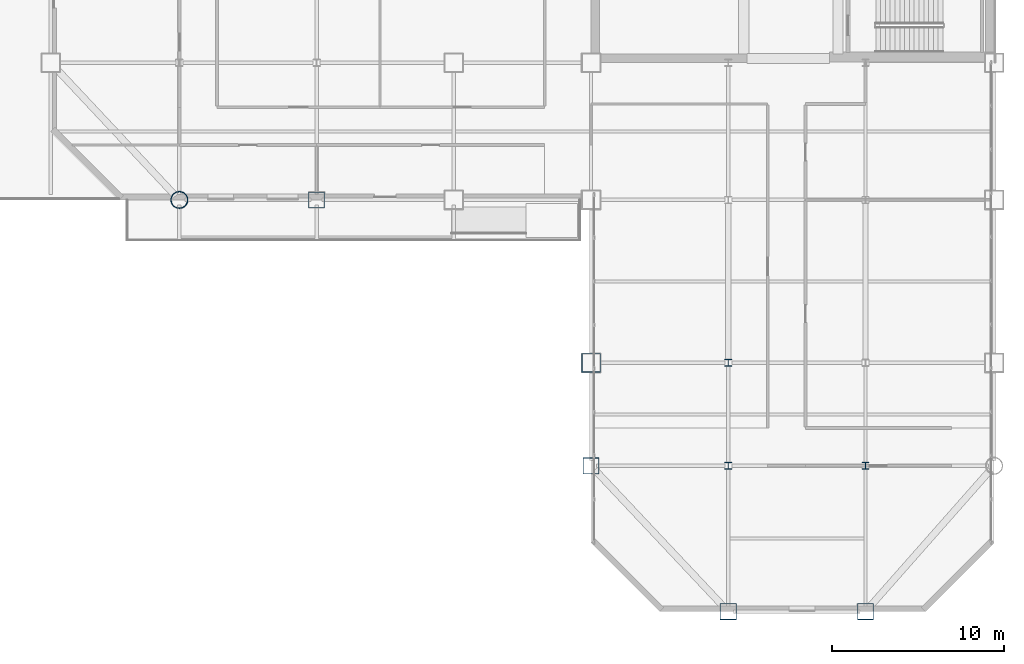
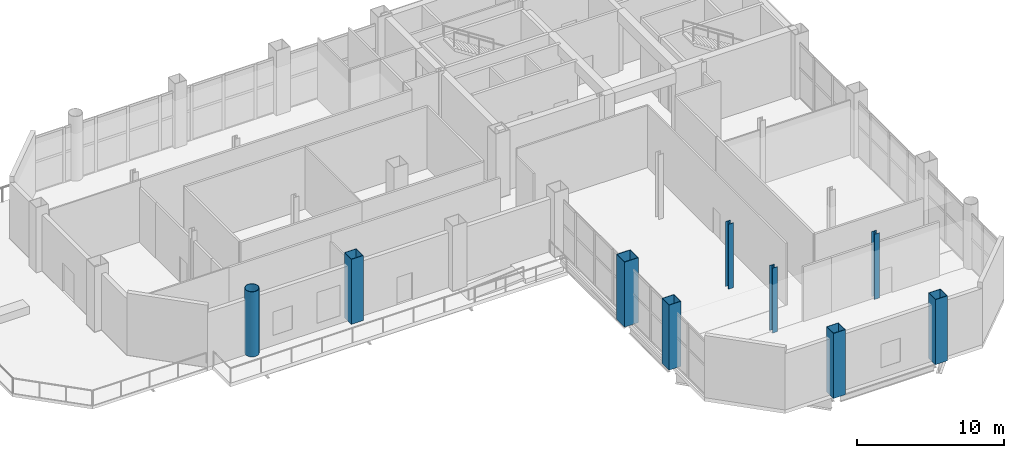
# One storey, part 1 of 22: 9 columns.
"""IFC4 building model written with IfcOpenShell, lengths in metres."""

from ifc_helpers import new_model, si_unit, direction, frame, origin, origin_2d, place, context, subcontext, project, spatial, hollow_rectangle, hollow_circle, i_section, extrude, material, material_profile, profile_set, type_object, element, save


model = new_model("IFC4")

# Units and contexts
model_context = context("Model", 3, precision=1e-05, world=origin(), true_north=direction((0.0, 1.0)))
body_context = subcontext(model_context, "Body", "Model", "MODEL_VIEW")
ifc_project = project(units=[si_unit("LENGTHUNIT", "METRE"), si_unit("AREAUNIT", "SQUARE_METRE"), si_unit("VOLUMEUNIT", "CUBIC_METRE"), si_unit("PLANEANGLEUNIT", "RADIAN"), si_unit("MASSUNIT", "GRAM", prefix="KILO")], contexts=[model_context])

# Site, building, storey
site_placement = place(None, origin())
site = spatial("IfcSite", under=ifc_project, at=site_placement, CompositionType="ELEMENT")
building_placement = place(site_placement, origin())
building = spatial("IfcBuilding", under=site, at=building_placement, Name="Qianrong Seaharbour Tower", CompositionType="ELEMENT")
storey_placement = place(building_placement, frame((0.0, 0.0, 113.60009765625)))
storey = spatial("IfcBuildingStorey", under=building, at=storey_placement, Name="L27", CompositionType="ELEMENT", Elevation=113.60009765625)

# Columns
ifc_material = material(Name="Structural steel SN490B", Category="steel")
ifc_material_profile_1 = material_profile(ifc_material, hollow_rectangle(XDim=1.10009765625, YDim=1.10009765625, WallThickness=0.0400390625, at=origin_2d()), Name="BOX1100x1100x40")
ifc_profile_set_1 = profile_set([ifc_material_profile_1], Name="Structural steel SN490B")
column_type_1 = type_object("IfcColumnType", Name="COL-CFT-1100", PredefinedType="COLUMN", material=ifc_profile_set_1)
column_1_placement = place(storey_placement, frame((40.5, 18.5, 0.0), z_axis=(0.0, 0.0, 1.0), x_axis=(1.0, 0.0, 0.0)))
element("IfcColumn", 1, at=column_1_placement, inside=storey, type_object=column_type_1, Name="L27 Column MC-3 at G6/GD", PredefinedType="COLUMN", context=body_context, shape_type="SweptSolid", body=[
    extrude(hollow_rectangle(XDim=1.10009765625, YDim=1.10009765625, WallThickness=0.0400390625, at=origin_2d()), origin(), (0.0, 0.0, 1.0), 5.39990234375),
])
ifc_material_profile_2 = material_profile(ifc_material, hollow_circle(Radius=0.5, WallThickness=0.035888671875, at=origin_2d()), Name="CHS1000x36")
ifc_profile_set_2 = profile_set([ifc_material_profile_2], Name="Structural steel SN490B")
column_type_2 = type_object("IfcColumnType", Name="COL-CHS-1000", PredefinedType="COLUMN", material=ifc_profile_set_2)
column_2_placement = place(storey_placement, frame((16.5, 28.0, 0.0), z_axis=(0.0, 0.0, 1.0), x_axis=(1.0, 0.0, 0.0)))
element("IfcColumn", 2, at=column_2_placement, inside=storey, type_object=column_type_2, Name="L27 Column CC-2 at G3/GE", PredefinedType="COLUMN", context=body_context, shape_type="SweptSolid", body=[
    extrude(hollow_circle(Radius=0.5, WallThickness=0.035888671875, at=origin_2d()), origin(), (0.0, 0.0, 1.0), 5.39990234375),
])
ifc_material_profile_3 = material_profile(ifc_material, i_section(OverallWidth=0.39990234375, OverallDepth=0.39990234375, WebThickness=0.012939453125, FlangeThickness=0.02099609375, FilletRadius=0.02197265625, at=origin_2d()), Name="H400x400x13x21")
ifc_profile_set_3 = profile_set([ifc_material_profile_3], Name="Structural steel SN490B")
column_type_3 = type_object("IfcColumnType", Name="COL-INT-H400", PredefinedType="COLUMN", material=ifc_profile_set_3)
for number, where, z_axis, x_axis, name in (
    (3, (48.5, 12.5, 0.0), (0.0, 0.0, 1.0), (1.0, 0.0, 0.0), "L27 Column IC-3 at G7/GC"),
    (4, (48.5, 18.5, 0.0), (0.0, 0.0, 1.0), (1.0, 0.0, 0.0), "L27 Column IC-3 at G7/GD"),
    (5, (56.5, 12.5, 0.0), (0.0, 0.0, 1.0), (1.0, 0.0, 0.0), "L27 Column IC-3 at G8/GC"),
):
    element("IfcColumn", number, at=place(storey_placement, frame(where, z_axis=z_axis, x_axis=x_axis)), inside=storey, type_object=column_type_3, Name=name, PredefinedType="COLUMN", context=body_context, shape_type="SweptSolid", body=[
        extrude(i_section(OverallWidth=0.39990234375, OverallDepth=0.39990234375, WebThickness=0.012939453125, FlangeThickness=0.02099609375, FilletRadius=0.02197265625, at=origin_2d()), origin(), (0.0, 0.0, 1.0), 5.39990234375),
    ])
ifc_material_profile_4 = material_profile(ifc_material, hollow_rectangle(XDim=0.949951171875, YDim=0.949951171875, WallThickness=0.035888671875, at=origin_2d()), Name="BOX950x950x36")
ifc_profile_set_4 = profile_set([ifc_material_profile_4], Name="Structural steel SN490B")
column_type_4 = type_object("IfcColumnType", Name="COL-PER-950", PredefinedType="COLUMN", material=ifc_profile_set_4)
for number, where, z_axis, x_axis, name in (
    (6, (24.5, 28.0, 0.0), (0.0, 0.0, 1.0), (1.0, 0.0, 0.0), "L27 Column PC-2 at G4/GE"),
    (7, (40.5, 12.5, 0.0), (0.0, 0.0, 1.0), (1.0, 0.0, 0.0), "L27 Column PC-2 at G6/GC"),
    (8, (48.5, 4.0, 0.0), (0.0, 0.0, 1.0), (1.0, 0.0, 0.0), "L27 Column PC-2 at G7/GB"),
    (9, (56.5, 4.0, 0.0), (0.0, 0.0, 1.0), (1.0, 0.0, 0.0), "L27 Column PC-2 at G8/GB"),
):
    element("IfcColumn", number, at=place(storey_placement, frame(where, z_axis=z_axis, x_axis=x_axis)), inside=storey, type_object=column_type_4, Name=name, PredefinedType="COLUMN", context=body_context, shape_type="SweptSolid", body=[
        extrude(hollow_rectangle(XDim=0.949951171875, YDim=0.949951171875, WallThickness=0.035888671875, at=origin_2d()), origin(), (0.0, 0.0, 1.0), 5.39990234375),
    ])

save(model, "model.ifc")
